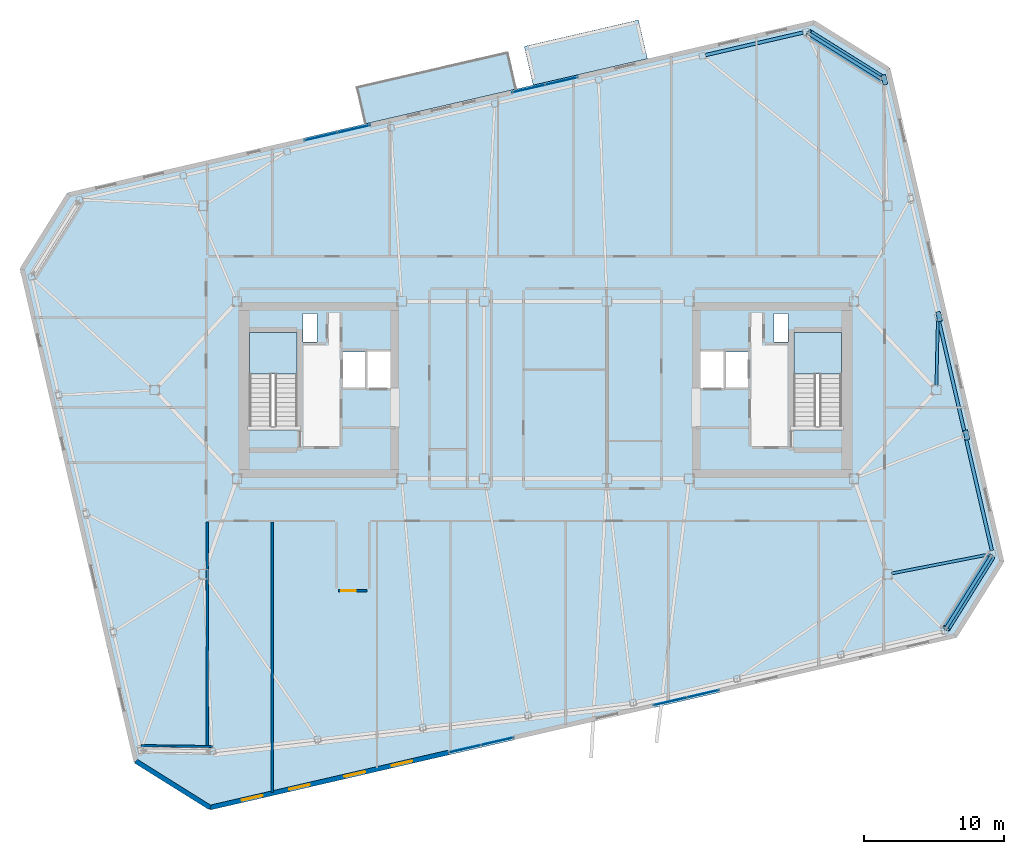
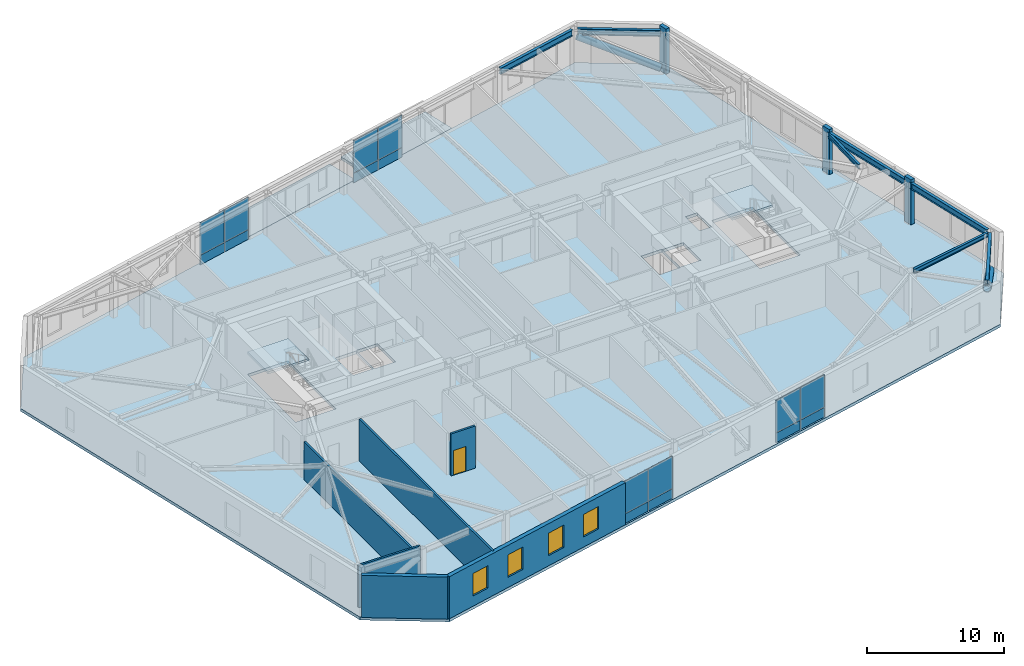
# One storey, part 15 of 24: 16 plates, 7 beams, 6 walls, 5 members, 5 slabs, 4 windows, 1 door, 5 openings, 6 elements without a shape of their own.
"""IFC4 building model written with IfcOpenShell, lengths in metres."""

from ifc_helpers import new_model, si_unit, direction, frame, frame_2d, origin, origin_2d, place, context, subcontext, project, spatial, polyline, rectangle, hollow_circle, i_section, outline, extrude, material, layer, layer_set, material_profile, profile_set, type_object, element, fill, aggregate, save


model = new_model("IFC4")

# Units and contexts
model_context = context("Model", 3, precision=1e-05, world=origin(), true_north=direction((0.0, 1.0)))
body_context = subcontext(model_context, "Body", "Model", "MODEL_VIEW")
ifc_project = project(units=[si_unit("LENGTHUNIT", "METRE"), si_unit("AREAUNIT", "SQUARE_METRE"), si_unit("VOLUMEUNIT", "CUBIC_METRE"), si_unit("PLANEANGLEUNIT", "RADIAN"), si_unit("MASSUNIT", "GRAM", prefix="KILO")], contexts=[model_context])

# Site, building, storey
site_placement = place(None, origin())
site = spatial("IfcSite", under=ifc_project, at=site_placement, CompositionType="ELEMENT")
building_placement = place(site_placement, origin())
building = spatial("IfcBuilding", under=site, at=building_placement, Name="Tavrogorsk Clinical Tower", CompositionType="ELEMENT")
storey_placement = place(building_placement, frame((0.0, 0.0, 321.0)))
storey = spatial("IfcBuildingStorey", under=building, at=storey_placement, Name="L75", CompositionType="ELEMENT", Elevation=321.0)

# Members
ifc_material_1 = material(Name="Structural steel S440", Category="steel")
ifc_material_profile_1 = material_profile(ifc_material_1, hollow_circle(Radius=0.304931640625, WallThickness=0.02490234375, at=origin_2d()), Name="CHS-610x25")
ifc_profile_set_1 = profile_set([ifc_material_profile_1], Name="Structural steel S440")
member_type_1 = type_object("IfcMemberType", Name="ExoBrace_CHS610", PredefinedType="BRACE", material=ifc_profile_set_1)
for number, where, z_axis, x_axis, name in (
    (1, (31.9228515625, -11.9091796875, 0.393310546875), (-0.485685891885, -0.777193135924, 0.40010004236), (0.848027637525, -0.529952003481, 0.0), "L75 Corner Exoskeleton Brace S8-E1"),
    (2, (24.017578125, 22.332275390625, 0.393310546875), (-0.777221605895, 0.485643868835, 0.400095748531), (-0.529905066536, -0.848056967697, 0.0), "L75 Corner Exoskeleton Brace E5-N1"),
):
    element("IfcMember", number, at=place(storey_placement, frame(where, z_axis=z_axis, x_axis=x_axis)), inside=storey, type_object=member_type_1, Name=name, PredefinedType="BRACE", context=body_context, shape_type="SweptSolid", body=[
        extrude(hollow_circle(Radius=0.304931640625, WallThickness=0.02490234375, at=origin_2d()), origin(), (0.0, 0.0, 1.0), 6.63232421875),
    ])

# Beams
ifc_material_2 = material(Name="Structural steel S355", Category="steel")
ifc_material_profile_2 = material_profile(ifc_material_2, i_section(OverallWidth=0.199951171875, OverallDepth=0.39990234375, WebThickness=0.010498046875, FlangeThickness=0.01611328125, at=origin_2d()), Name="B-400x200x10.5x16")
ifc_profile_set_2 = profile_set([ifc_material_profile_2], Name="Structural steel S355")
beam_type_1 = type_object("IfcBeamType", Name="FloorBeam_B400", PredefinedType="BEAM", material=ifc_profile_set_2)
beam_1_placement = place(storey_placement, frame((24.80419921875, -13.140625, 3.5400390625), z_axis=(0.981451198395, 0.191712141424, 0.0), x_axis=(-0.191712141424, 0.981451198395, 0.0)))
element("IfcBeam", 3, at=beam_1_placement, inside=storey, type_object=beam_type_1, Name="L75 Radial Floor Beam E1", PredefinedType="BEAM", context=body_context, shape_type="SweptSolid", body=[
    extrude(i_section(OverallWidth=0.199951171875, OverallDepth=0.39990234375, WebThickness=0.010498046875, FlangeThickness=0.01611328125, at=origin_2d()), origin(), (0.0, 0.0, 1.0), 7.13525390625),
])
beam_2_placement = place(storey_placement, frame((28.0068359375, 0.309814453125, 3.5400390625), z_axis=(0.022370062613, 0.999749758839, 0.0), x_axis=(-0.999749758839, 0.022370062613, 0.0)))
element("IfcBeam", 4, at=beam_2_placement, inside=storey, type_object=beam_type_1, Name="L75 Radial Floor Beam E3", PredefinedType="BEAM", context=body_context, shape_type="SweptSolid", body=[
    extrude(i_section(OverallWidth=0.199951171875, OverallDepth=0.39990234375, WebThickness=0.010498046875, FlangeThickness=0.01611328125, at=origin_2d()), origin(), (0.0, 0.0, 1.0), 4.703857421875),
])

# Members
ifc_material_3 = material(Name="Precast concrete B45 with limestone cladding", Category="masonry")
ifc_material_profile_3 = material_profile(ifc_material_3, rectangle(XDim=0.320068359375, YDim=0.719970703125, at=origin_2d()), Name="LIMESTONE-FIN-320x720")
ifc_profile_set_3 = profile_set([ifc_material_profile_3], Name="Precast concrete B45 with limestone cladding")
member_type_2 = type_object("IfcMemberType", Name="LimestonePleatFin_320x720", PredefinedType="USERDEFINED", material=ifc_profile_set_3)
for number, where, z_axis, x_axis, name in (
    (5, (30.154541015625, -3.223388671875, 0.0), (0.0, 0.0, 1.0), (0.974370064785, 0.224951054344, 0.0), "L75 E Pleated Stone Fin 1"),
    (6, (28.1953125, 5.263427734375, 0.0), (0.0, 0.0, 1.0), (0.974370064785, 0.224951054344, 0.0), "L75 E Pleated Stone Fin 2"),
    (7, (24.276611328125, 22.237060546875, 0.0), (0.0, 0.0, 1.0), (0.974370064785, 0.224951054344, 0.0), "L75 E Pleated Stone Fin 4"),
):
    element("IfcMember", number, at=place(storey_placement, frame(where, z_axis=z_axis, x_axis=x_axis)), inside=storey, type_object=member_type_2, Name=name, ObjectType="FIN", PredefinedType="USERDEFINED", context=body_context, shape_type="SweptSolid", body=[
        extrude(rectangle(XDim=0.320068359375, YDim=0.719970703125, at=origin_2d()), origin(), (0.0, 0.0, 1.0), 4.0),
    ])

# Beams
ifc_material_4 = material(Name="Structural steel S390", Category="steel")
ifc_material_profile_4 = material_profile(ifc_material_4, i_section(OverallWidth=0.239990234375, OverallDepth=0.550048828125, WebThickness=0.013916015625, FlangeThickness=0.02197265625, at=origin_2d()), Name="B-550x240x14x22")
ifc_profile_set_4 = profile_set([ifc_material_profile_4], Name="Structural steel S390")
beam_type_2 = type_object("IfcBeamType", Name="SpandrelBeam_B550", PredefinedType="SPANDREL", material=ifc_profile_set_4)
beam_3_placement = place(storey_placement, frame((28.712158203125, -17.04736328125, 3.465087890625), z_axis=(0.529904457892, 0.848057348006, 0.0), x_axis=(-0.848057348006, 0.529904457892, 0.0)))
element("IfcBeam", 8, at=beam_3_placement, inside=storey, type_object=beam_type_2, Name="L75 Perimeter Spandrel S8-E1", PredefinedType="SPANDREL", context=body_context, shape_type="SweptSolid", body=[
    extrude(i_section(OverallWidth=0.239990234375, OverallDepth=0.550048828125, WebThickness=0.013916015625, FlangeThickness=0.02197265625, at=origin_2d()), origin(), (0.0, 0.0, 1.0), 6.039306640625),
])
for number, where, z_axis, x_axis, name in (
    (9, (31.9833984375, -11.5009765625, 3.465087890625), (-0.224950345141, 0.974370228517, 0.0), (-0.974370228517, -0.224950345141, 0.0), "L75 Perimeter Spandrel E1-E2"),
    (10, (30.024169921875, -3.01416015625, 3.465087890625), (-0.224950345141, 0.974370228517, 0.0), (-0.974370228517, -0.224950345141, 0.0), "L75 Perimeter Spandrel E2-E3"),
):
    element("IfcBeam", number, at=place(storey_placement, frame(where, z_axis=z_axis, x_axis=x_axis)), inside=storey, type_object=beam_type_2, Name=name, PredefinedType="SPANDREL", context=body_context, shape_type="SweptSolid", body=[
        extrude(i_section(OverallWidth=0.239990234375, OverallDepth=0.550048828125, WebThickness=0.013916015625, FlangeThickness=0.02197265625, at=origin_2d()), origin(), (0.0, 0.0, 1.0), 8.243896484375),
    ])
beam_4_placement = place(storey_placement, frame((24.0009765625, 22.342529296875, 3.465087890625), z_axis=(-0.848057348006, 0.529904457892, 0.0), x_axis=(-0.529904457892, -0.848057348006, 0.0)))
element("IfcBeam", 11, at=beam_4_placement, inside=storey, type_object=beam_type_2, Name="L75 Perimeter Spandrel E5-N1", PredefinedType="SPANDREL", context=body_context, shape_type="SweptSolid", body=[
    extrude(i_section(OverallWidth=0.239990234375, OverallDepth=0.550048828125, WebThickness=0.013916015625, FlangeThickness=0.02197265625, at=origin_2d()), origin(), (0.0, 0.0, 1.0), 6.039306640625),
])
beam_5_placement = place(storey_placement, frame((18.45458984375, 25.61376953125, 3.465087890625), z_axis=(-0.974375120167, -0.224929155956, 0.0), x_axis=(0.224929155956, -0.974375120167, 0.0)))
element("IfcBeam", 12, at=beam_5_placement, inside=storey, type_object=beam_type_2, Name="L75 Perimeter Spandrel N1-N2", PredefinedType="SPANDREL", context=body_context, shape_type="SweptSolid", body=[
    extrude(i_section(OverallWidth=0.239990234375, OverallDepth=0.550048828125, WebThickness=0.013916015625, FlangeThickness=0.02197265625, at=origin_2d()), origin(), (0.0, 0.0, 1.0), 7.16796875),
])

# Curtain wall, plates
ifc_material_5 = material(Name="Anodised aluminium and triple IGU glazing", Category="aluminium")
ifc_layer_1 = layer(ifc_material_5, 0.179931640625)
ifc_layer_set_1 = layer_set([ifc_layer_1], Name="Anodised aluminium and triple IGU glazing")
curtain_wall_type_1 = type_object("IfcCurtainWallType", Name="CW3_SouthSlot", PredefinedType="NOTDEFINED", material=ifc_layer_set_1)
curtain_wall_1_placement = place(storey_placement, origin())
curtain_wall_1 = element("IfcCurtainWall", 13, at=curtain_wall_1_placement, inside=storey, type_object=curtain_wall_type_1, Name="L75 Curtain Wall CW-L75-S-SLOT-1", PredefinedType="NOTDEFINED")
ifc_material_6 = material(Name="Honed Podolsk limestone spandrel panel", Category="masonry")
ifc_layer_2 = layer(ifc_material_6, 0.080078125)
ifc_layer_set_2 = layer_set([ifc_layer_2], Name="Honed Podolsk limestone spandrel panel")
plate_type_1 = type_object("IfcPlateType", Name="CwSpandrelStonePanel_80", PredefinedType="CURTAIN_PANEL", material=ifc_layer_set_2)
plate_1_placement = place(storey_placement, frame((-5.810546875, -25.7099609375, 0.001953125), z_axis=(0.0, 0.0, 1.0), x_axis=(0.974370057377, 0.224951086434, 0.0)))
plate_1 = element("IfcPlate", 14, at=plate_1_placement, type_object=plate_type_1, Name="CW-L75-S-SLOT-1 Stone Spandrel Panel 1", PredefinedType="CURTAIN_PANEL", context=body_context, shape_type="SweptSolid", body=[
    extrude(rectangle(XDim=2.39208984375, YDim=0.080078125, at=origin_2d()), origin(), (0.0, 0.0, 1.0), 0.8359375),
])
plate_2_placement = place(storey_placement, frame((-3.45654296875, -25.16650390625, 0.001953125), z_axis=(0.0, 0.0, 1.0), x_axis=(0.974370057377, 0.224951086434, 0.0)))
plate_2 = element("IfcPlate", 15, at=plate_2_placement, type_object=plate_type_1, Name="CW-L75-S-SLOT-1 Stone Spandrel Panel 2", PredefinedType="CURTAIN_PANEL", context=body_context, shape_type="SweptSolid", body=[
    extrude(rectangle(XDim=2.39208984375, YDim=0.080078125, at=origin_2d()), origin(), (0.0, 0.0, 1.0), 0.8359375),
])

curtain_wall_2_placement = place(storey_placement, origin())
curtain_wall_2 = element("IfcCurtainWall", 16, at=curtain_wall_2_placement, inside=storey, type_object=curtain_wall_type_1, Name="L75 Curtain Wall CW-L75-S-SLOT-2", PredefinedType="NOTDEFINED")
plate_3_placement = place(storey_placement, frame((8.9296875, -22.306884765625, 0.001953125), z_axis=(0.0, 0.0, 1.0), x_axis=(0.974370057377, 0.224951086434, 0.0)))
plate_3 = element("IfcPlate", 17, at=plate_3_placement, type_object=plate_type_1, Name="CW-L75-S-SLOT-2 Stone Spandrel Panel 1", PredefinedType="CURTAIN_PANEL", context=body_context, shape_type="SweptSolid", body=[
    extrude(rectangle(XDim=2.39208984375, YDim=0.080078125, at=origin_2d()), origin(), (0.0, 0.0, 1.0), 0.8359375),
])
plate_4_placement = place(storey_placement, frame((11.28369140625, -21.763427734375, 0.001953125), z_axis=(0.0, 0.0, 1.0), x_axis=(0.974370057377, 0.224951086434, 0.0)))
plate_4 = element("IfcPlate", 18, at=plate_4_placement, type_object=plate_type_1, Name="CW-L75-S-SLOT-2 Stone Spandrel Panel 2", PredefinedType="CURTAIN_PANEL", context=body_context, shape_type="SweptSolid", body=[
    extrude(rectangle(XDim=2.39208984375, YDim=0.080078125, at=origin_2d()), origin(), (0.0, 0.0, 1.0), 0.8359375),
])

ifc_material_7 = material(Name="Anodised aluminium and triple IGU glazing", Category="aluminium")
ifc_layer_3 = layer(ifc_material_7, 0.179931640625)
ifc_layer_set_3 = layer_set([ifc_layer_3], Name="Anodised aluminium and triple IGU glazing")
curtain_wall_type_2 = type_object("IfcCurtainWallType", Name="CW2_NorthSlot", PredefinedType="NOTDEFINED", material=ifc_layer_set_3)
curtain_wall_3_placement = place(storey_placement, origin())
curtain_wall_3 = element("IfcCurtainWall", 19, at=curtain_wall_3_placement, inside=storey, type_object=curtain_wall_type_2, Name="L75 Curtain Wall CW-L75-N-SLOT-1", PredefinedType="NOTDEFINED")
plate_5_placement = place(storey_placement, frame((-13.729736328125, 18.70703125, 0.001953125), z_axis=(0.0, 0.0, 1.0), x_axis=(-0.974370057377, -0.224951086434, 0.0)))
plate_5 = element("IfcPlate", 20, at=plate_5_placement, type_object=plate_type_1, Name="CW-L75-N-SLOT-1 Stone Spandrel Panel 1", PredefinedType="CURTAIN_PANEL", context=body_context, shape_type="SweptSolid", body=[
    extrude(rectangle(XDim=2.39208984375, YDim=0.080078125, at=origin_2d()), origin(), (0.0, 0.0, 1.0), 0.8359375),
])
plate_6_placement = place(storey_placement, frame((-16.083740234375, 18.16357421875, 0.001953125), z_axis=(0.0, 0.0, 1.0), x_axis=(-0.974370057377, -0.224951086434, 0.0)))
plate_6 = element("IfcPlate", 21, at=plate_6_placement, type_object=plate_type_1, Name="CW-L75-N-SLOT-1 Stone Spandrel Panel 2", PredefinedType="CURTAIN_PANEL", context=body_context, shape_type="SweptSolid", body=[
    extrude(rectangle(XDim=2.39208984375, YDim=0.080078125, at=origin_2d()), origin(), (0.0, 0.0, 1.0), 0.8359375),
])

curtain_wall_4_placement = place(storey_placement, origin())
curtain_wall_4 = element("IfcCurtainWall", 22, at=curtain_wall_4_placement, inside=storey, type_object=curtain_wall_type_2, Name="L75 Curtain Wall CW-L75-N-SLOT-2", PredefinedType="NOTDEFINED")
plate_7_placement = place(storey_placement, frame((1.1474609375, 22.1416015625, 0.001953125), z_axis=(0.0, 0.0, 1.0), x_axis=(-0.974370092441, -0.224950934554, 0.0)))
plate_7 = element("IfcPlate", 23, at=plate_7_placement, type_object=plate_type_1, Name="CW-L75-N-SLOT-2 Stone Spandrel Panel 1", PredefinedType="CURTAIN_PANEL", context=body_context, shape_type="SweptSolid", body=[
    extrude(rectangle(XDim=2.39208984375, YDim=0.080078125, at=origin_2d()), origin(), (0.0, 0.0, 1.0), 0.8359375),
])
plate_8_placement = place(storey_placement, frame((-1.20654296875, 21.59814453125, 0.001953125), z_axis=(0.0, 0.0, 1.0), x_axis=(-0.974370092441, -0.224950934554, 0.0)))
plate_8 = element("IfcPlate", 24, at=plate_8_placement, type_object=plate_type_1, Name="CW-L75-N-SLOT-2 Stone Spandrel Panel 2", PredefinedType="CURTAIN_PANEL", context=body_context, shape_type="SweptSolid", body=[
    extrude(rectangle(XDim=2.39208984375, YDim=0.080078125, at=origin_2d()), origin(), (0.0, 0.0, 1.0), 0.8359375),
])

# Plate
ifc_material_8 = material(Name="Triple low-E argon insulated glass", Category="glass")
ifc_layer_4 = layer(ifc_material_8, 0.048095703125)
ifc_layer_set_4 = layer_set([ifc_layer_4], Name="Triple low-E argon insulated glass")
plate_type_2 = type_object("IfcPlateType", Name="CwVisionGlassPanel_48", PredefinedType="CURTAIN_PANEL", material=ifc_layer_set_4)
plate_9_placement = place(storey_placement, frame((-5.810546875, -25.7099609375, 0.862060546875), z_axis=(0.0, 0.0, 1.0), x_axis=(0.974370057377, 0.224951086434, 0.0)))
plate_9 = element("IfcPlate", 25, at=plate_9_placement, type_object=plate_type_2, Name="CW-L75-S-SLOT-1 Glazing Panel 1", PredefinedType="CURTAIN_PANEL", context=body_context, shape_type="SweptSolid", body=[
    extrude(rectangle(XDim=2.39208984375, YDim=0.048095703125, at=origin_2d()), origin(), (0.0, 0.0, 1.0), 2.8759765625),
])

plate_10_placement = place(storey_placement, frame((-3.45654296875, -25.16650390625, 0.862060546875), z_axis=(0.0, 0.0, 1.0), x_axis=(0.974370057377, 0.224951086434, 0.0)))
plate_10 = element("IfcPlate", 26, at=plate_10_placement, type_object=plate_type_2, Name="CW-L75-S-SLOT-1 Glazing Panel 2", PredefinedType="CURTAIN_PANEL", context=body_context, shape_type="SweptSolid", body=[
    extrude(rectangle(XDim=2.39208984375, YDim=0.048095703125, at=origin_2d()), origin(), (0.0, 0.0, 1.0), 2.8759765625),
])

aggregate(curtain_wall_1, [plate_1, plate_9, plate_2, plate_10])

plate_11_placement = place(storey_placement, frame((8.9296875, -22.306884765625, 0.862060546875), z_axis=(0.0, 0.0, 1.0), x_axis=(0.974370057377, 0.224951086434, 0.0)))
plate_11 = element("IfcPlate", 27, at=plate_11_placement, type_object=plate_type_2, Name="CW-L75-S-SLOT-2 Glazing Panel 1", PredefinedType="CURTAIN_PANEL", context=body_context, shape_type="SweptSolid", body=[
    extrude(rectangle(XDim=2.39208984375, YDim=0.048095703125, at=origin_2d()), origin(), (0.0, 0.0, 1.0), 2.8759765625),
])

plate_12_placement = place(storey_placement, frame((11.28369140625, -21.763427734375, 0.862060546875), z_axis=(0.0, 0.0, 1.0), x_axis=(0.974370057377, 0.224951086434, 0.0)))
plate_12 = element("IfcPlate", 28, at=plate_12_placement, type_object=plate_type_2, Name="CW-L75-S-SLOT-2 Glazing Panel 2", PredefinedType="CURTAIN_PANEL", context=body_context, shape_type="SweptSolid", body=[
    extrude(rectangle(XDim=2.39208984375, YDim=0.048095703125, at=origin_2d()), origin(), (0.0, 0.0, 1.0), 2.8759765625),
])

aggregate(curtain_wall_2, [plate_3, plate_11, plate_4, plate_12])

plate_13_placement = place(storey_placement, frame((-13.729736328125, 18.70703125, 0.862060546875), z_axis=(0.0, 0.0, 1.0), x_axis=(-0.974370057377, -0.224951086434, 0.0)))
plate_13 = element("IfcPlate", 29, at=plate_13_placement, type_object=plate_type_2, Name="CW-L75-N-SLOT-1 Glazing Panel 1", PredefinedType="CURTAIN_PANEL", context=body_context, shape_type="SweptSolid", body=[
    extrude(rectangle(XDim=2.39208984375, YDim=0.048095703125, at=origin_2d()), origin(), (0.0, 0.0, 1.0), 2.8759765625),
])

plate_14_placement = place(storey_placement, frame((-16.083740234375, 18.16357421875, 0.862060546875), z_axis=(0.0, 0.0, 1.0), x_axis=(-0.974370057377, -0.224951086434, 0.0)))
plate_14 = element("IfcPlate", 30, at=plate_14_placement, type_object=plate_type_2, Name="CW-L75-N-SLOT-1 Glazing Panel 2", PredefinedType="CURTAIN_PANEL", context=body_context, shape_type="SweptSolid", body=[
    extrude(rectangle(XDim=2.39208984375, YDim=0.048095703125, at=origin_2d()), origin(), (0.0, 0.0, 1.0), 2.8759765625),
])

aggregate(curtain_wall_3, [plate_5, plate_13, plate_6, plate_14])

plate_15_placement = place(storey_placement, frame((1.1474609375, 22.1416015625, 0.862060546875), z_axis=(0.0, 0.0, 1.0), x_axis=(-0.974370092441, -0.224950934554, 0.0)))
plate_15 = element("IfcPlate", 31, at=plate_15_placement, type_object=plate_type_2, Name="CW-L75-N-SLOT-2 Glazing Panel 1", PredefinedType="CURTAIN_PANEL", context=body_context, shape_type="SweptSolid", body=[
    extrude(rectangle(XDim=2.39208984375, YDim=0.048095703125, at=origin_2d()), origin(), (0.0, 0.0, 1.0), 2.8759765625),
])

plate_16_placement = place(storey_placement, frame((-1.20654296875, 21.59814453125, 0.862060546875), z_axis=(0.0, 0.0, 1.0), x_axis=(-0.974370092441, -0.224950934554, 0.0)))
plate_16 = element("IfcPlate", 32, at=plate_16_placement, type_object=plate_type_2, Name="CW-L75-N-SLOT-2 Glazing Panel 2", PredefinedType="CURTAIN_PANEL", context=body_context, shape_type="SweptSolid", body=[
    extrude(rectangle(XDim=2.39208984375, YDim=0.048095703125, at=origin_2d()), origin(), (0.0, 0.0, 1.0), 2.8759765625),
])

aggregate(curtain_wall_4, [plate_7, plate_15, plate_8, plate_16])

# Slab
ifc_material_9 = material(Name="Concrete B60", Category="concrete")
ifc_layer_5 = layer(ifc_material_9, 0.239990234375)
ifc_layer_set_5 = layer_set([ifc_layer_5], Name="Concrete B60")
slab_type_1 = type_object("IfcSlabType", Name="DayroomSlab_240", PredefinedType="FLOOR", material=ifc_layer_set_5)
slab_1_placement = place(storey_placement, frame((0.0, 0.0, -0.239990234375)))
element("IfcSlab", 33, at=slab_1_placement, inside=storey, type_object=slab_type_1, Name="L75 Day-Room Box Roof DRB-10", PredefinedType="ROOF", context=body_context, shape_type="SweptSolid", body=[
    extrude(outline(polyline([(-1.521728515625, 24.624755859375), (6.662841796875, 26.514404296875), (7.303955078125, 23.737548828125), (-0.880615234375, 21.847900390625), (-1.521728515625, 24.624755859375)])), origin(), (0.0, 0.0, 1.0), 0.239990234375),
])

# Stair, slab
ifc_material_10 = material(Name="Concrete B60", Category="concrete")
stair_type = type_object("IfcStairType", Name="CoreStairAssembly", PredefinedType="HALF_TURN_STAIR", material=ifc_material_10)
stair_1_placement = place(storey_placement, origin())
stair_1 = element("IfcStair", 34, at=stair_1_placement, inside=storey, type_object=stair_type, Name="L75 ST-W", PredefinedType="HALF_TURN_STAIR")
ifc_material_11 = material(Name="Concrete B60", Category="concrete")
ifc_layer_6 = layer(ifc_material_11, 0.199951171875)
ifc_layer_set_6 = layer_set([ifc_layer_6], Name="Concrete B60")
slab_type_2 = type_object("IfcSlabType", Name="StairLanding_200", PredefinedType="LANDING", material=ifc_layer_set_6)
slab_2_placement = place(storey_placement, frame((0.0, 0.0, 1.800048828125)))
slab_2 = element("IfcSlab", 35, at=slab_2_placement, type_object=slab_type_2, Name="ST-W landing 1", PredefinedType="LANDING", context=body_context, shape_type="SweptSolid", body=[
    extrude(outline(polyline([(-17.800048828125, 1.1650390625), (-17.800048828125, 4.125), (-21.199951171875, 4.125), (-21.199951171875, 1.1650390625), (-17.800048828125, 1.1650390625)])), origin(), (0.0, 0.0, 1.0), 0.199951171875),
])
aggregate(stair_1, [slab_2])

stair_2_placement = place(storey_placement, origin())
stair_2 = element("IfcStair", 36, at=stair_2_placement, inside=storey, type_object=stair_type, Name="L75 ST-E", PredefinedType="HALF_TURN_STAIR")
slab_3_placement = place(storey_placement, frame((0.0, 0.0, 1.800048828125)))
slab_3 = element("IfcSlab", 37, at=slab_3_placement, type_object=slab_type_2, Name="ST-E landing 1", PredefinedType="LANDING", context=body_context, shape_type="SweptSolid", body=[
    extrude(outline(polyline([(21.199951171875, 1.1650390625), (21.199951171875, 4.125), (17.800048828125, 4.125), (17.800048828125, 1.1650390625), (21.199951171875, 1.1650390625)])), origin(), (0.0, 0.0, 1.0), 0.199951171875),
])
aggregate(stair_2, [slab_3])

# Slabs
ifc_material_12 = material(Name="Concrete B60", Category="concrete")
ifc_layer_7 = layer(ifc_material_12, 0.280029296875)
ifc_layer_set_7 = layer_set([ifc_layer_7], Name="Concrete B60")
slab_type_3 = type_object("IfcSlabType", Name="TerraceRoofSlab_280", PredefinedType="ROOF", material=ifc_layer_set_7)
slab_4_placement = place(storey_placement, frame((0.0, 0.0, -0.280029296875)))
element("IfcSlab", 38, at=slab_4_placement, inside=storey, type_object=slab_type_3, Name="Spiralling Recuperation Terrace Slab", PredefinedType="ROOF", context=body_context, shape_type="SweptSolid", body=[
    extrude(outline(polyline([(-13.58154296875, 21.738037109375), (-2.66845703125, 24.25732421875), (-2.0498046875, 21.577880859375), (-12.962890625, 19.05859375), (-13.58154296875, 21.738037109375)])), origin(), (0.0, 0.0, 1.0), 0.280029296875),
])
ifc_material_13 = material(Name="Concrete B60", Category="concrete")
ifc_layer_8 = layer(ifc_material_13, 0.260009765625)
ifc_layer_set_8 = layer_set([ifc_layer_8], Name="Concrete B60")
slab_type_4 = type_object("IfcSlabType", Name="WardSlab_260", PredefinedType="FLOOR", material=ifc_layer_set_8)
slab_5_placement = place(storey_placement, frame((0.0, 0.0, -0.260009765625)))
element("IfcSlab", 39, at=slab_5_placement, inside=storey, type_object=slab_type_4, Name="L75 Structural Slab", PredefinedType="FLOOR", context=body_context, shape_type="SweptSolid", body=[
    extrude(outline(polyline([(-23.991455078125, -30.081787109375), (29.404052734375, -17.75439453125), (32.8515625, -12.23779296875), (24.708251953125, 23.034423828125), (19.19140625, 26.48193359375), (-34.2041015625, 14.154541015625), (-37.651611328125, 8.6376953125), (-29.50830078125, -26.634521484375), (-23.991455078125, -30.081787109375)]), holes=[polyline([(-17.800048828125, -2.8798828125), (-17.800048828125, 4.125), (-21.199951171875, 4.125), (-21.199951171875, -2.8798828125), (-17.800048828125, -2.8798828125)]), polyline([(21.199951171875, -2.8798828125), (21.199951171875, 4.125), (17.800048828125, 4.125), (17.800048828125, -2.8798828125), (21.199951171875, -2.8798828125)]), polyline([(-14.6201171875, 0.169921875), (-12.860107421875, 0.169921875), (-12.860107421875, 2.72998046875), (-14.6201171875, 2.72998046875), (-14.6201171875, 0.169921875)]), polyline([(-12.840087890625, 0.1201171875), (-11.080078125, 0.1201171875), (-11.080078125, 2.780029296875), (-12.840087890625, 2.780029296875), (-12.840087890625, 0.1201171875)]), polyline([(12.860107421875, 0.169921875), (14.6201171875, 0.169921875), (14.6201171875, 2.72998046875), (12.860107421875, 2.72998046875), (12.860107421875, 0.169921875)]), polyline([(11.080078125, 0.1201171875), (12.840087890625, 0.1201171875), (12.840087890625, 2.780029296875), (11.080078125, 2.780029296875), (11.080078125, 0.1201171875)]), polyline([(-17.3798828125, 3.449951171875), (-16.3798828125, 3.449951171875), (-16.3798828125, 5.5), (-17.3798828125, 5.5), (-17.3798828125, 3.449951171875)]), polyline([(16.3798828125, 3.449951171875), (17.3798828125, 3.449951171875), (17.3798828125, 5.5), (16.3798828125, 5.5), (16.3798828125, 3.449951171875)])]), origin(), (0.0, 0.0, 1.0), 0.260009765625),
])

# Wall
ifc_material_14 = material(Name="Lightweight concrete blockwork B15", Category="masonry")
ifc_layer_9 = layer(ifc_material_14, 0.159912109375)
ifc_layer_set_9 = layer_set([ifc_layer_9], Name="Lightweight concrete blockwork B15")
wall_type_1 = type_object("IfcWallType", Name="PartitionWall_160", PredefinedType="PARTITIONING", material=ifc_layer_set_9)
wall_1_placement = place(storey_placement, frame((-28.994140625, -25.47900390625, 0.0), z_axis=(0.0, 0.0, 1.0), x_axis=(0.999915052546, -0.01303409726, 0.0)))
element("IfcWall", 40, at=wall_1_placement, inside=storey, type_object=wall_type_1, Name="L75 Corner Exoskeleton Brace Furring Wall 4", PredefinedType="PARTITIONING", context=body_context, shape_type="SweptSolid", body=[
    extrude(rectangle(XDim=5.13232421875, YDim=0.159912109375, at=frame_2d((2.566162109375, 0.0))), origin(), (0.0, 0.0, 1.0), 3.739990234375),
])

# Wall, opening, door
wall_2_placement = place(storey_placement, frame((-12.784912109375, -14.3798828125, 0.0), z_axis=(0.0, 0.0, 1.0), x_axis=(-1.0, 0.0, 0.0)))
wall_2 = element("IfcWall", 41, at=wall_2_placement, inside=storey, type_object=wall_type_1, Name="L75 Corridor Partition 06", PredefinedType="PARTITIONING", context=body_context, shape_type="SweptSolid", body=[
    extrude(rectangle(XDim=2.030029296875, YDim=0.159912109375, at=frame_2d((1.01513671875, 0.0))), origin(), (0.0, 0.0, 1.0), 3.739990234375),
])
opening_1_placement = place(wall_2_placement, frame((0.800048828125, 0.0, 0.0)))
opening_1 = element("IfcOpeningElement", 42, at=opening_1_placement, cuts=wall_2, Name="Opening ID-04", PredefinedType="OPENING", context=body_context, shape_type="SweptSolid", body=[
    extrude(rectangle(XDim=1.050048828125, YDim=2.199951171875, at=frame_2d((0.52490234375, 1.10009765625))), frame((0.0, 0.08984375, 0.0), z_axis=(0.0, -1.0, 0.0), x_axis=(1.0, 0.0, 0.0)), (0.0, 0.0, 1.0), 0.179931640625),
])
ifc_material_15 = material(Name="Antibacterial HPL consultation door on aluminium frame", Category="aluminium")
door_type = type_object("IfcDoorType", Name="ConsultDoor_ID04_1050", OperationType="NOTDEFINED", PredefinedType="DOOR", material=ifc_material_15)
door_placement = place(opening_1_placement, origin())
door = element("IfcDoor", 43, at=door_placement, inside=storey, type_object=door_type, Name="L75 South Outpatient Procedure Suite 02A Door", OperationType="SINGLE_SWING_RIGHT", OverallHeight=2.199951171875, OverallWidth=1.050048828125, PredefinedType="DOOR", context=body_context, shape_type="SweptSolid", body=[
    extrude(rectangle(XDim=1.050048828125, YDim=2.199951171875, at=frame_2d((0.52490234375, 1.10009765625))), frame((0.0, 0.02490234375, 0.0), z_axis=(0.0, -1.0, 0.0), x_axis=(1.0, 0.0, 0.0)), (0.0, 0.0, 1.0), 0.050048828125),
])
fill(opening_1, door)

# Walls
wall_3_placement = place(storey_placement, frame((-24.22998046875, -25.535888671875, 0.0), z_axis=(0.0, 0.0, 1.0), x_axis=(0.0, 1.0, 0.0)))
element("IfcWall", 44, at=wall_3_placement, inside=storey, type_object=wall_type_1, Name="L75 SW Wing Closure Partition", PredefinedType="PARTITIONING", context=body_context, shape_type="SweptSolid", body=[
    extrude(rectangle(XDim=16.07080078125, YDim=0.159912109375, at=frame_2d((8.035400390625, 0.0))), origin(), (0.0, 0.0, 1.0), 3.3349609375),
])
wall_4_placement = place(storey_placement, frame((-19.580078125, -28.817138671875, 0.0), z_axis=(0.0, 0.0, 1.0), x_axis=(0.0, 1.0, 0.0)))
element("IfcWall", 45, at=wall_4_placement, inside=storey, type_object=wall_type_1, Name="L75 South Room Partition 1", PredefinedType="PARTITIONING", context=body_context, shape_type="SweptSolid", body=[
    extrude(rectangle(XDim=19.35205078125, YDim=0.159912109375, at=frame_2d((9.676025390625, 0.0))), origin(), (0.0, 0.0, 1.0), 3.739990234375),
])

# Wall, openings, windows
ifc_material_16 = material(Name="Precast concrete B45 with limestone cladding", Category="masonry")
ifc_layer_10 = layer(ifc_material_16, 0.340087890625)
ifc_layer_set_10 = layer_set([ifc_layer_10], Name="Precast concrete B45 with limestone cladding")
wall_type_2 = type_object("IfcWallType", Name="PrecastLimestoneWall_340", PredefinedType="STANDARD", material=ifc_layer_set_10)
wall_5_placement = place(storey_placement, frame((-24.029541015625, -29.916259765625, 0.0), z_axis=(0.0, 0.0, 1.0), x_axis=(0.974370978061, 0.224947098473, 0.0)))
wall_5 = element("IfcWall", 46, at=wall_5_placement, inside=storey, type_object=wall_type_2, Name="L75 S Limestone Facade Wall 1", PredefinedType="STANDARD", context=body_context, shape_type="SweptSolid", body=[
    extrude(rectangle(XDim=17.50634765625, YDim=0.340087890625, at=frame_2d((8.753173828125, 0.0))), origin(), (0.0, 0.0, 1.0), 3.739990234375),
])
opening_2_placement = place(wall_5_placement, frame((2.35009765625, 0.0, 0.89990234375)))
opening_2 = element("IfcOpeningElement", 47, at=opening_2_placement, cuts=wall_5, Name="Opening WN-05", PredefinedType="OPENING", context=body_context, shape_type="SweptSolid", body=[
    extrude(rectangle(XDim=1.5, YDim=2.0, at=frame_2d((0.75, 1.0))), frame((0.0, 0.179931640625, 0.0), z_axis=(0.0, -1.0, 0.0), x_axis=(1.0, 0.0, 0.0)), (0.0, 0.0, 1.0), 0.360107421875),
])
opening_3_placement = place(wall_5_placement, frame((5.81689453125, 0.0, 0.89990234375)))
opening_3 = element("IfcOpeningElement", 48, at=opening_3_placement, cuts=wall_5, Name="Opening WN-05", PredefinedType="OPENING", context=body_context, shape_type="SweptSolid", body=[
    extrude(rectangle(XDim=1.5, YDim=2.0, at=frame_2d((0.75, 1.0))), frame((0.0, 0.179931640625, 0.0), z_axis=(0.0, -1.0, 0.0), x_axis=(1.0, 0.0, 0.0)), (0.0, 0.0, 1.0), 0.360107421875),
])
opening_4_placement = place(wall_5_placement, frame((9.886474609375, 0.0, 0.89990234375)))
opening_4 = element("IfcOpeningElement", 49, at=opening_4_placement, cuts=wall_5, Name="Opening WN-05", PredefinedType="OPENING", context=body_context, shape_type="SweptSolid", body=[
    extrude(rectangle(XDim=1.5, YDim=2.0, at=frame_2d((0.75, 1.0))), frame((0.0, 0.179931640625, 0.0), z_axis=(0.0, -1.0, 0.0), x_axis=(1.0, 0.0, 0.0)), (0.0, 0.0, 1.0), 0.360107421875),
])
opening_5_placement = place(wall_5_placement, frame((13.353271484375, 0.0, 0.89990234375)))
opening_5 = element("IfcOpeningElement", 50, at=opening_5_placement, cuts=wall_5, Name="Opening WN-05", PredefinedType="OPENING", context=body_context, shape_type="SweptSolid", body=[
    extrude(rectangle(XDim=1.5, YDim=2.0, at=frame_2d((0.75, 1.0))), frame((0.0, 0.179931640625, 0.0), z_axis=(0.0, -1.0, 0.0), x_axis=(1.0, 0.0, 0.0)), (0.0, 0.0, 1.0), 0.360107421875),
])
ifc_material_17 = material(Name="Thermally broken aluminium frame and triple IGU", Category="aluminium")
window_type = type_object("IfcWindowType", Name="ConsultWin_1500x2000", PartitioningType="SINGLE_PANEL", PredefinedType="WINDOW", material=ifc_material_17)
window_1_placement = place(opening_2_placement, origin())
window_1 = element("IfcWindow", 51, at=window_1_placement, inside=storey, type_object=window_type, Name="L75 S Chicago Window 01", OverallHeight=2.0, OverallWidth=1.5, PartitioningType="SINGLE_PANEL", PredefinedType="WINDOW", context=body_context, shape_type="SweptSolid", body=[
    extrude(rectangle(XDim=1.5, YDim=2.0, at=frame_2d((0.75, 1.0))), frame((0.0, 0.030029296875, 0.0), z_axis=(0.0, -1.0, 0.0), x_axis=(1.0, 0.0, 0.0)), (0.0, 0.0, 1.0), 0.06005859375),
])
fill(opening_2, window_1)
window_2_placement = place(opening_3_placement, origin())
window_2 = element("IfcWindow", 52, at=window_2_placement, inside=storey, type_object=window_type, Name="L75 S Chicago Window 02", OverallHeight=2.0, OverallWidth=1.5, PartitioningType="SINGLE_PANEL", PredefinedType="WINDOW", context=body_context, shape_type="SweptSolid", body=[
    extrude(rectangle(XDim=1.5, YDim=2.0, at=frame_2d((0.75, 1.0))), frame((0.0, 0.030029296875, 0.0), z_axis=(0.0, -1.0, 0.0), x_axis=(1.0, 0.0, 0.0)), (0.0, 0.0, 1.0), 0.06005859375),
])
fill(opening_3, window_2)
window_3_placement = place(opening_4_placement, origin())
window_3 = element("IfcWindow", 53, at=window_3_placement, inside=storey, type_object=window_type, Name="L75 S Chicago Window 03", OverallHeight=2.0, OverallWidth=1.5, PartitioningType="SINGLE_PANEL", PredefinedType="WINDOW", context=body_context, shape_type="SweptSolid", body=[
    extrude(rectangle(XDim=1.5, YDim=2.0, at=frame_2d((0.75, 1.0))), frame((0.0, 0.030029296875, 0.0), z_axis=(0.0, -1.0, 0.0), x_axis=(1.0, 0.0, 0.0)), (0.0, 0.0, 1.0), 0.06005859375),
])
fill(opening_4, window_3)
window_4_placement = place(opening_5_placement, origin())
window_4 = element("IfcWindow", 54, at=window_4_placement, inside=storey, type_object=window_type, Name="L75 S Chicago Window 04", OverallHeight=2.0, OverallWidth=1.5, PartitioningType="SINGLE_PANEL", PredefinedType="WINDOW", context=body_context, shape_type="SweptSolid", body=[
    extrude(rectangle(XDim=1.5, YDim=2.0, at=frame_2d((0.75, 1.0))), frame((0.0, 0.030029296875, 0.0), z_axis=(0.0, -1.0, 0.0), x_axis=(1.0, 0.0, 0.0)), (0.0, 0.0, 1.0), 0.06005859375),
])
fill(opening_5, window_4)

# Wall
wall_6_placement = place(storey_placement, frame((-29.342529296875, -26.59619140625, 0.0), z_axis=(0.0, 0.0, 1.0), x_axis=(0.848037708252, -0.529935887993, 0.0)))
element("IfcWall", 55, at=wall_6_placement, inside=storey, type_object=wall_type_2, Name="L75 Chamfered Corner Wall 4", PredefinedType="STANDARD", context=body_context, shape_type="SweptSolid", body=[
    extrude(rectangle(XDim=6.26513671875, YDim=0.340087890625, at=frame_2d((3.132568359375, 0.0))), origin(), (0.0, 0.0, 1.0), 3.739990234375),
])

save(model, "model.ifc")
